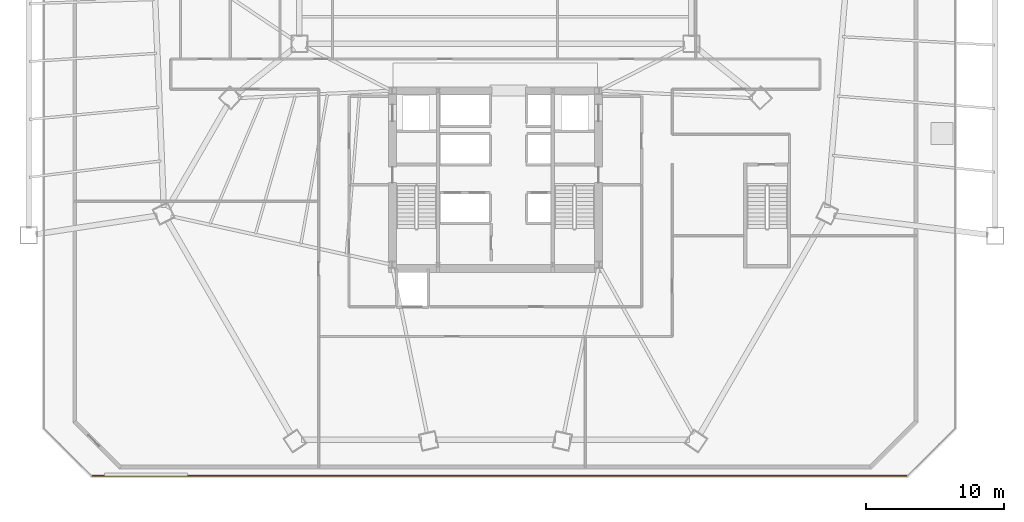
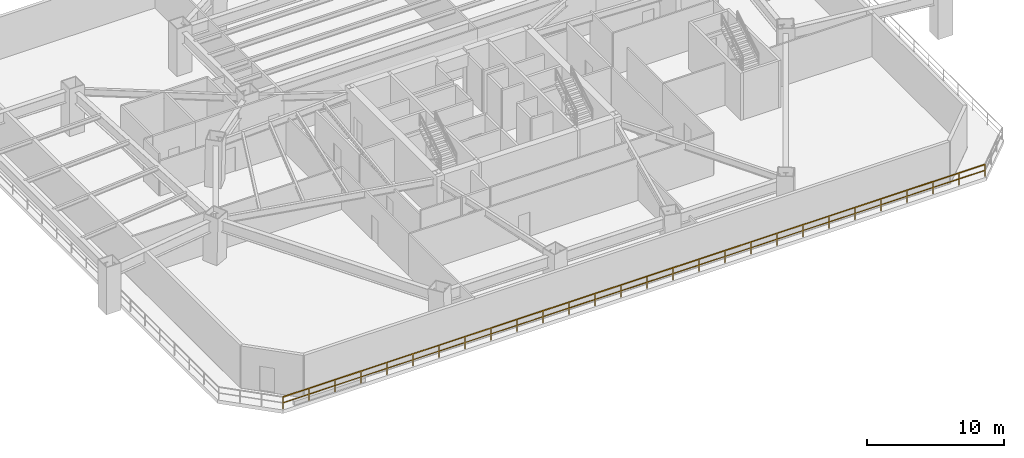
# One storey, part 10 of 12: 1 railing.
"""IFC4 building model written with IfcOpenShell, lengths in metres."""

import ifcopenshell
import ifcopenshell.guid

model = None  # the IFC model being written
_history = None  # IfcOwnerHistory: only IFC2X3 demands one
_inside = {}  # id of a spatial element -> (the spatial element, [elements in it])
_under = {}  # id of a project, library or spatial element -> (it, [spatial elements below it])
_declared = {}  # id of a project -> (the project, [libraries it declares])
_typed = {}  # id of a type object -> (the type object, [elements of that type])
_made_of = {}  # id of a material, layer set ... -> (it, [elements and type objects made of it])


def new_model(schema):
    """Start an empty IFC model of exactly this schema.

    Asked for "IFC4X3", IfcOpenShell would pick the latest addendum, in which some entities
    have other attributes; the version numbers below select the first issue.
    IFC2X3 requires an IfcOwnerHistory on every rooted entity: one is made here for all.
    """
    global model, _history
    if schema == "IFC4X3":
        model = ifcopenshell.file(schema_version=(4, 3, 0, 0))
    else:
        model = ifcopenshell.file(schema=schema)
    _inside.clear()
    _under.clear()
    _declared.clear()
    _typed.clear()
    _made_of.clear()
    _history = None
    if model.schema == "IFC2X3":
        org = make("IfcOrganization", Name="unknown")
        user = make(
            "IfcPersonAndOrganization",
            ThePerson=make("IfcPerson", FamilyName="unknown"),
            TheOrganization=org,
        )
        app = make(
            "IfcApplication",
            ApplicationDeveloper=org,
            Version="unknown",
            ApplicationFullName="unknown",
            ApplicationIdentifier="unknown",
        )
        _history = make(
            "IfcOwnerHistory",
            OwningUser=user,
            OwningApplication=app,
            ChangeAction="ADDED",
            CreationDate=0,
        )
    return model


def make(cls, **values):
    """One entity of the class cls with the attributes given. An attribute that is None is left unset."""
    return model.create_entity(
        cls, **{name: value for name, value in values.items() if value is not None}
    )


def rooted(cls, **values):
    """An entity with a GlobalId (a new one), such as an element, a storey or a relation."""
    return make(cls, GlobalId=ifcopenshell.guid.new(), OwnerHistory=_history, **values)


def si_unit(unit_type, name, prefix=None):
    """IfcSIUnit, for example si_unit("LENGTHUNIT", "METRE", prefix="MILLI")."""
    return make("IfcSIUnit", UnitType=unit_type, Prefix=prefix, Name=name)


def assignment(units):
    """IfcUnitAssignment: the units of a project."""
    return None if units is None else make("IfcUnitAssignment", Units=units)


def point(xyz):
    """IfcCartesianPoint."""
    return None if xyz is None else make("IfcCartesianPoint", Coordinates=xyz)


def direction(xyz):
    """IfcDirection."""
    return None if xyz is None else make("IfcDirection", DirectionRatios=xyz)


def frame(location, z_axis=None, x_axis=None):
    """IfcAxis2Placement3D, a coordinate frame: its origin and axes. An axis left out is left unset."""
    return make(
        "IfcAxis2Placement3D",
        Location=point(location),
        Axis=direction(z_axis),
        RefDirection=direction(x_axis),
    )


def frame_2d(location, x_axis=None):
    """IfcAxis2Placement2D, a coordinate frame in the plane: its origin and x axis."""
    return make(
        "IfcAxis2Placement2D", Location=point(location), RefDirection=direction(x_axis)
    )


def origin():
    """The frame at (0, 0, 0) with its axes left unset."""
    return frame((0.0, 0.0, 0.0))


def origin_2d():
    """The frame at (0, 0) in the plane with its x axis left unset."""
    return frame_2d((0.0, 0.0))


def place(relative_to, where):
    """IfcLocalPlacement: puts the frame where relative to a parent placement (None: the world)."""
    return make(
        "IfcLocalPlacement", PlacementRelTo=relative_to, RelativePlacement=where
    )


def context(
    kind, dimensions, precision=None, world=None, true_north=None, identifier=None
):
    """IfcGeometricRepresentationContext, for example the 3D "Model" context."""
    return make(
        "IfcGeometricRepresentationContext",
        ContextIdentifier=identifier,
        ContextType=kind,
        CoordinateSpaceDimension=dimensions,
        Precision=precision,
        WorldCoordinateSystem=world,
        TrueNorth=true_north,
    )


def subcontext(parent, identifier, kind, view, scale=None):
    """IfcGeometricRepresentationSubContext, for example "Body" below "Model"."""
    return make(
        "IfcGeometricRepresentationSubContext",
        ContextIdentifier=identifier,
        ContextType=kind,
        ParentContext=parent,
        TargetScale=scale,
        TargetView=view,
    )


def project(units=None, contexts=None):
    """IfcProject with its units and contexts."""
    return rooted(
        "IfcProject",
        Name="project",
        RepresentationContexts=contexts,
        UnitsInContext=assignment(units),
    )


def spatial(cls, under=None, at=None, **own):
    """A site, building, storey or space (cls), placed at a placement, below another one or the project."""
    s = rooted(cls, ObjectPlacement=at, **own)
    if under is not None:
        _under.setdefault(under.id(), (under, []))[1].append(s)
    return s


def profile(cls, at=None, kind="AREA", **sizes):
    """A parametric profile (cls). Its sizes go by their IFC names, for example OverallWidth=200.0."""
    return make(cls, ProfileType=kind, Position=at, **sizes)


def rectangle(**sizes):
    """IfcRectangleProfileDef."""
    return profile("IfcRectangleProfileDef", **sizes)


def extrude(swept, where, along, depth):
    """IfcExtrudedAreaSolid: the profile swept, set in the frame where, extruded along a direction by depth."""
    return make(
        "IfcExtrudedAreaSolid",
        SweptArea=swept,
        Position=where,
        ExtrudedDirection=direction(along),
        Depth=depth,
    )


def shape(context_of_items, identifier, shape_type, items):
    """IfcShapeRepresentation: the items that make up one representation, for example the "Body"."""
    return make(
        "IfcShapeRepresentation",
        ContextOfItems=context_of_items,
        RepresentationIdentifier=identifier,
        RepresentationType=shape_type,
        Items=items,
    )


def material(Name=None, Category=None):
    """IfcMaterial."""
    return make("IfcMaterial", Name=Name, Category=Category)


def layer(
    of_material, thickness, ventilated=None, Name=None, Category=None, Priority=None
):
    """IfcMaterialLayer: one layer of a wall or slab, of a material (None: an air gap)."""
    return make(
        "IfcMaterialLayer",
        Material=of_material,
        LayerThickness=thickness,
        IsVentilated=ventilated,
        Name=Name,
        Category=Category,
        Priority=Priority,
    )


def layer_set(layers, Name=None):
    """IfcMaterialLayerSet."""
    return make("IfcMaterialLayerSet", MaterialLayers=layers, LayerSetName=Name)


def made_of(thing, what):
    """Note that an element or type object is made of a material, layer set ...; save() writes the relation."""
    if what is not None:
        _made_of.setdefault(what.id(), (what, []))[1].append(thing)
    return thing


def type_object(cls, material=None, **own):
    """A type object (cls), such as IfcWallType, which elements share."""
    return made_of(rooted(cls, **own), material)


def element(
    cls,
    number,
    at=None,
    inside=None,
    cuts=None,
    type_object=None,
    material=None,
    context=None,
    identifier="Body",
    shape_type=None,
    held_by="IfcProductDefinitionShape",
    body=None,
    shapes=None,
    **own,
):
    """One element of the class cls, such as IfcWall. Its Tag is "e" and its number.

    at: its placement. inside: the storey or other place that contains it. cuts: it is an
    opening in that element (IfcRelVoidsElement). A single representation is given by context,
    identifier, shape_type and body (its items); several are given by shapes. held_by: the class
    of the entity that holds the representations. save() writes the other relations.
    """
    e = rooted(cls, Tag="e%d" % number, ObjectPlacement=at, **own)
    if body is not None:
        shapes = [shape(context, identifier, shape_type, body)]
    if shapes is not None:
        e.Representation = make(held_by, Representations=shapes)
    if inside is not None:
        _inside.setdefault(inside.id(), (inside, []))[1].append(e)
    if cuts is not None:
        rooted(
            "IfcRelVoidsElement", RelatingBuildingElement=cuts, RelatedOpeningElement=e
        )
    if type_object is not None:
        _typed.setdefault(type_object.id(), (type_object, []))[1].append(e)
    return made_of(e, material)


def aggregate(whole, parts):
    """IfcRelAggregates: a whole, such as a stair, and the parts it consists of."""
    return rooted("IfcRelAggregates", RelatingObject=whole, RelatedObjects=parts)


def save(model, path):
    """Write the relations noted so far, then the file.

    IfcRelAggregates (storeys below a building ...), IfcRelContainedInSpatialStructure (elements
    in a storey), IfcRelDefinesByType, IfcRelAssociatesMaterial and IfcRelDeclares: one each for
    every whole, place, type object, material and project.
    """
    for whole, parts in _under.values():
        aggregate(whole, parts)
    for where, things in _inside.values():
        rooted(
            "IfcRelContainedInSpatialStructure",
            RelatedElements=things,
            RelatingStructure=where,
        )
    for kind, things in _typed.values():
        rooted("IfcRelDefinesByType", RelatedObjects=things, RelatingType=kind)
    for what, things in _made_of.values():
        rooted("IfcRelAssociatesMaterial", RelatedObjects=things, RelatingMaterial=what)
    for by, libraries in _declared.values():
        rooted("IfcRelDeclares", RelatingContext=by, RelatedDefinitions=libraries)
    model.write(path)


model = new_model("IFC4")

# Units and contexts
model_context = context("Model", 3, precision=1e-05, world=origin(), true_north=direction((0.0, 1.0)))
body_context = subcontext(model_context, "Body", "Model", "MODEL_VIEW")
ifc_project = project(units=[si_unit("LENGTHUNIT", "METRE"), si_unit("AREAUNIT", "SQUARE_METRE"), si_unit("VOLUMEUNIT", "CUBIC_METRE"), si_unit("PLANEANGLEUNIT", "RADIAN"), si_unit("MASSUNIT", "GRAM", prefix="KILO")], contexts=[model_context])

# Site, building, storey
site_placement = place(None, origin())
site = spatial("IfcSite", under=ifc_project, at=site_placement, CompositionType="ELEMENT")
building_placement = place(site_placement, origin())
building = spatial("IfcBuilding", under=site, at=building_placement, Name="Caelisora Broadcast Tower", CompositionType="ELEMENT")
storey_placement = place(building_placement, frame((0.0, 0.0, 18.89990234375)))
storey = spatial("IfcBuildingStorey", under=building, at=storey_placement, Name="L04", CompositionType="ELEMENT", Elevation=18.89990234375)

# Railing
ifc_material = material(Name="Laminated Glass and Stainless Steel Terrace Balustrade", Category="steel")
ifc_layer = layer(ifc_material, 0.048095703125, Name="Laminated Glass and Stainless Steel Terrace Balustrade")
ifc_layer_set = layer_set([ifc_layer], Name="Laminated Glass and Stainless Steel Terrace Balustrade")
railing_type = type_object("IfcRailingType", Name="BL-1", PredefinedType="BALUSTRADE", material=ifc_layer_set)
railing_placement = place(storey_placement, frame((67.85009765625, 2.1201171875, 0.0)))
element("IfcRailing", 1, at=railing_placement, inside=storey, type_object=railing_type, Name="L04 balustrade BL-1 #08", PredefinedType="BALUSTRADE", context=body_context, shape_type="SweptSolid", body=[
    extrude(rectangle(XDim=0.048095703125, YDim=0.048095703125, at=origin_2d()), frame((0.0, 0.0, 1.076171875), z_axis=(-1.0, 0.0, 0.0), x_axis=(0.0, -1.0, 0.0)), (0.0, 0.0, 1.0), 59.10009765625),
    extrude(rectangle(XDim=0.03125, YDim=0.03125, at=origin_2d()), frame((0.0, 0.0, 0.550048828125), z_axis=(-1.0, 0.0, 0.0), x_axis=(0.0, -1.0, 0.0)), (0.0, 0.0, 1.0), 59.10009765625),
    extrude(rectangle(XDim=0.0419921875, YDim=0.0419921875, at=origin_2d()), origin(), (0.0, 0.0, 1.0), 1.052001953125),
    extrude(rectangle(XDim=0.0419921875, YDim=0.0419921875, at=origin_2d()), frame((-2.18896484375, 0.0, 0.0)), (0.0, 0.0, 1.0), 1.052001953125),
    extrude(rectangle(XDim=0.0419921875, YDim=0.0419921875, at=origin_2d()), frame((-4.377685546875, 0.0, 0.0)), (0.0, 0.0, 1.0), 1.052001953125),
    extrude(rectangle(XDim=0.0419921875, YDim=0.0419921875, at=origin_2d()), frame((-6.566650390625, 0.0, 0.0)), (0.0, 0.0, 1.0), 1.052001953125),
    extrude(rectangle(XDim=0.0419921875, YDim=0.0419921875, at=origin_2d()), frame((-8.755615234375, 0.0, 0.0)), (0.0, 0.0, 1.0), 1.052001953125),
    extrude(rectangle(XDim=0.0419921875, YDim=0.0419921875, at=origin_2d()), frame((-10.944580078125, 0.0, 0.0)), (0.0, 0.0, 1.0), 1.052001953125),
    extrude(rectangle(XDim=0.0419921875, YDim=0.0419921875, at=origin_2d()), frame((-13.13330078125, 0.0, 0.0)), (0.0, 0.0, 1.0), 1.052001953125),
    extrude(rectangle(XDim=0.0419921875, YDim=0.0419921875, at=origin_2d()), frame((-15.322265625, 0.0, 0.0)), (0.0, 0.0, 1.0), 1.052001953125),
    extrude(rectangle(XDim=0.0419921875, YDim=0.0419921875, at=origin_2d()), frame((-17.51123046875, 0.0, 0.0)), (0.0, 0.0, 1.0), 1.052001953125),
    extrude(rectangle(XDim=0.0419921875, YDim=0.0419921875, at=origin_2d()), frame((-19.699951171875, 0.0, 0.0)), (0.0, 0.0, 1.0), 1.052001953125),
    extrude(rectangle(XDim=0.0419921875, YDim=0.0419921875, at=origin_2d()), frame((-21.888916015625, 0.0, 0.0)), (0.0, 0.0, 1.0), 1.052001953125),
    extrude(rectangle(XDim=0.0419921875, YDim=0.0419921875, at=origin_2d()), frame((-24.077880859375, 0.0, 0.0)), (0.0, 0.0, 1.0), 1.052001953125),
    extrude(rectangle(XDim=0.0419921875, YDim=0.0419921875, at=origin_2d()), frame((-26.2666015625, 0.0, 0.0)), (0.0, 0.0, 1.0), 1.052001953125),
    extrude(rectangle(XDim=0.0419921875, YDim=0.0419921875, at=origin_2d()), frame((-28.45556640625, 0.0, 0.0)), (0.0, 0.0, 1.0), 1.052001953125),
    extrude(rectangle(XDim=0.0419921875, YDim=0.0419921875, at=origin_2d()), frame((-30.64453125, 0.0, 0.0)), (0.0, 0.0, 1.0), 1.052001953125),
    extrude(rectangle(XDim=0.0419921875, YDim=0.0419921875, at=origin_2d()), frame((-32.83349609375, 0.0, 0.0)), (0.0, 0.0, 1.0), 1.052001953125),
    extrude(rectangle(XDim=0.0419921875, YDim=0.0419921875, at=origin_2d()), frame((-35.022216796875, 0.0, 0.0)), (0.0, 0.0, 1.0), 1.052001953125),
    extrude(rectangle(XDim=0.0419921875, YDim=0.0419921875, at=origin_2d()), frame((-37.211181640625, 0.0, 0.0)), (0.0, 0.0, 1.0), 1.052001953125),
    extrude(rectangle(XDim=0.0419921875, YDim=0.0419921875, at=origin_2d()), frame((-39.400146484375, 0.0, 0.0)), (0.0, 0.0, 1.0), 1.052001953125),
    extrude(rectangle(XDim=0.0419921875, YDim=0.0419921875, at=origin_2d()), frame((-41.5888671875, 0.0, 0.0)), (0.0, 0.0, 1.0), 1.052001953125),
    extrude(rectangle(XDim=0.0419921875, YDim=0.0419921875, at=origin_2d()), frame((-43.77783203125, 0.0, 0.0)), (0.0, 0.0, 1.0), 1.052001953125),
    extrude(rectangle(XDim=0.0419921875, YDim=0.0419921875, at=origin_2d()), frame((-45.966796875, 0.0, 0.0)), (0.0, 0.0, 1.0), 1.052001953125),
    extrude(rectangle(XDim=0.0419921875, YDim=0.0419921875, at=origin_2d()), frame((-48.155517578125, 0.0, 0.0)), (0.0, 0.0, 1.0), 1.052001953125),
    extrude(rectangle(XDim=0.0419921875, YDim=0.0419921875, at=origin_2d()), frame((-50.344482421875, 0.0, 0.0)), (0.0, 0.0, 1.0), 1.052001953125),
    extrude(rectangle(XDim=0.0419921875, YDim=0.0419921875, at=origin_2d()), frame((-52.533447265625, 0.0, 0.0)), (0.0, 0.0, 1.0), 1.052001953125),
    extrude(rectangle(XDim=0.0419921875, YDim=0.0419921875, at=origin_2d()), frame((-54.722412109375, 0.0, 0.0)), (0.0, 0.0, 1.0), 1.052001953125),
    extrude(rectangle(XDim=0.0419921875, YDim=0.0419921875, at=origin_2d()), frame((-56.9111328125, 0.0, 0.0)), (0.0, 0.0, 1.0), 1.052001953125),
    extrude(rectangle(XDim=0.0419921875, YDim=0.0419921875, at=origin_2d()), frame((-59.10009765625, 0.0, 0.0)), (0.0, 0.0, 1.0), 1.052001953125),
])

save(model, "model.ifc")
